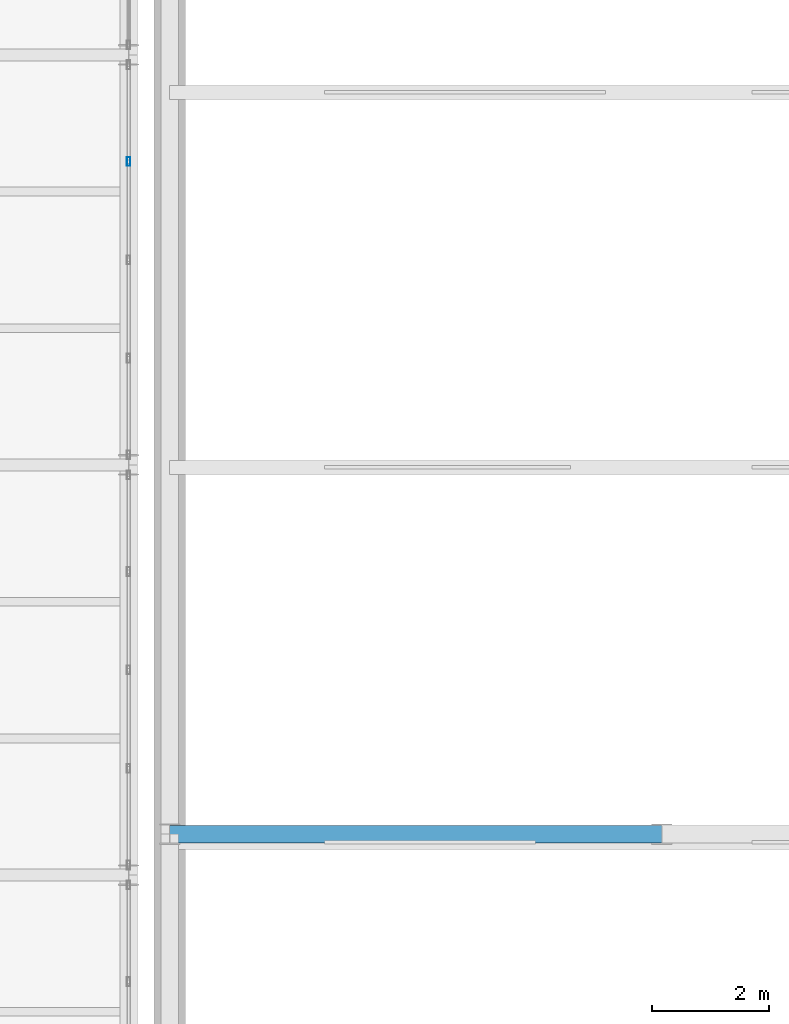
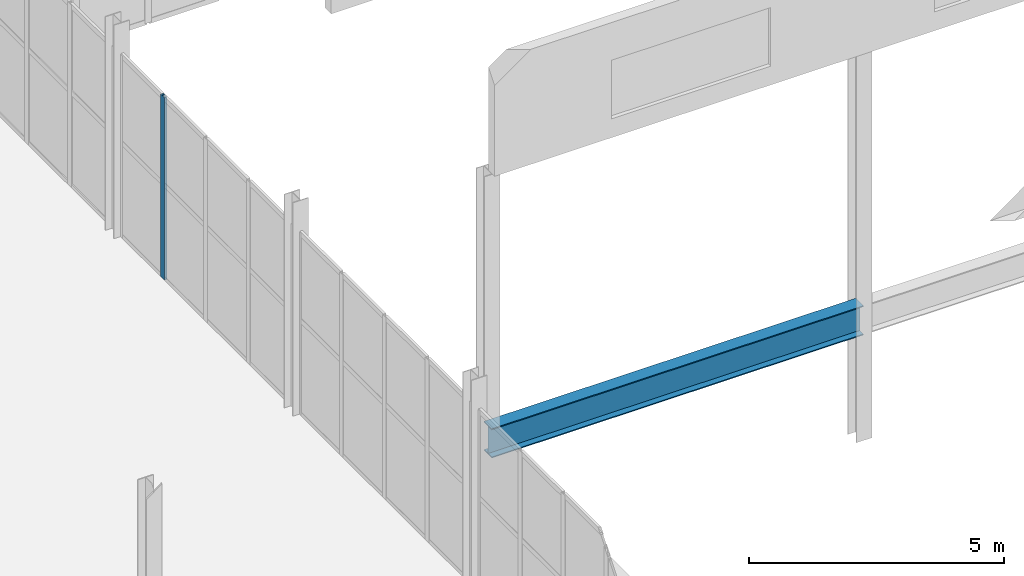
# One storey, part 55 of 218: 1 beam, 1 member, 1 element without a shape of its own.
"""IFC4 building model written with IfcOpenShell, lengths in metres."""

import ifcopenshell
import ifcopenshell.guid

model = None  # the IFC model being written
_history = None  # IfcOwnerHistory: only IFC2X3 demands one
_inside = {}  # id of a spatial element -> (the spatial element, [elements in it])
_under = {}  # id of a project, library or spatial element -> (it, [spatial elements below it])
_declared = {}  # id of a project -> (the project, [libraries it declares])
_typed = {}  # id of a type object -> (the type object, [elements of that type])
_made_of = {}  # id of a material, layer set ... -> (it, [elements and type objects made of it])


def new_model(schema):
    """Start an empty IFC model of exactly this schema.

    Asked for "IFC4X3", IfcOpenShell would pick the latest addendum, in which some entities
    have other attributes; the version numbers below select the first issue.
    IFC2X3 requires an IfcOwnerHistory on every rooted entity: one is made here for all.
    """
    global model, _history
    if schema == "IFC4X3":
        model = ifcopenshell.file(schema_version=(4, 3, 0, 0))
    else:
        model = ifcopenshell.file(schema=schema)
    _inside.clear()
    _under.clear()
    _declared.clear()
    _typed.clear()
    _made_of.clear()
    _history = None
    if model.schema == "IFC2X3":
        org = make("IfcOrganization", Name="unknown")
        user = make(
            "IfcPersonAndOrganization",
            ThePerson=make("IfcPerson", FamilyName="unknown"),
            TheOrganization=org,
        )
        app = make(
            "IfcApplication",
            ApplicationDeveloper=org,
            Version="unknown",
            ApplicationFullName="unknown",
            ApplicationIdentifier="unknown",
        )
        _history = make(
            "IfcOwnerHistory",
            OwningUser=user,
            OwningApplication=app,
            ChangeAction="ADDED",
            CreationDate=0,
        )
    return model


def make(cls, **values):
    """One entity of the class cls with the attributes given. An attribute that is None is left unset."""
    return model.create_entity(
        cls, **{name: value for name, value in values.items() if value is not None}
    )


def rooted(cls, **values):
    """An entity with a GlobalId (a new one), such as an element, a storey or a relation."""
    return make(cls, GlobalId=ifcopenshell.guid.new(), OwnerHistory=_history, **values)


def si_unit(unit_type, name, prefix=None):
    """IfcSIUnit, for example si_unit("LENGTHUNIT", "METRE", prefix="MILLI")."""
    return make("IfcSIUnit", UnitType=unit_type, Prefix=prefix, Name=name)


def assignment(units):
    """IfcUnitAssignment: the units of a project."""
    return None if units is None else make("IfcUnitAssignment", Units=units)


def point(xyz):
    """IfcCartesianPoint."""
    return None if xyz is None else make("IfcCartesianPoint", Coordinates=xyz)


def direction(xyz):
    """IfcDirection."""
    return None if xyz is None else make("IfcDirection", DirectionRatios=xyz)


def frame(location, z_axis=None, x_axis=None):
    """IfcAxis2Placement3D, a coordinate frame: its origin and axes. An axis left out is left unset."""
    return make(
        "IfcAxis2Placement3D",
        Location=point(location),
        Axis=direction(z_axis),
        RefDirection=direction(x_axis),
    )


def frame_2d(location, x_axis=None):
    """IfcAxis2Placement2D, a coordinate frame in the plane: its origin and x axis."""
    return make(
        "IfcAxis2Placement2D", Location=point(location), RefDirection=direction(x_axis)
    )


def origin():
    """The frame at (0, 0, 0) with its axes left unset."""
    return frame((0.0, 0.0, 0.0))


def origin_2d():
    """The frame at (0, 0) in the plane with its x axis left unset."""
    return frame_2d((0.0, 0.0))


def place(relative_to, where):
    """IfcLocalPlacement: puts the frame where relative to a parent placement (None: the world)."""
    return make(
        "IfcLocalPlacement", PlacementRelTo=relative_to, RelativePlacement=where
    )


def context(
    kind, dimensions, precision=None, world=None, true_north=None, identifier=None
):
    """IfcGeometricRepresentationContext, for example the 3D "Model" context."""
    return make(
        "IfcGeometricRepresentationContext",
        ContextIdentifier=identifier,
        ContextType=kind,
        CoordinateSpaceDimension=dimensions,
        Precision=precision,
        WorldCoordinateSystem=world,
        TrueNorth=true_north,
    )


def subcontext(parent, identifier, kind, view, scale=None):
    """IfcGeometricRepresentationSubContext, for example "Body" below "Model"."""
    return make(
        "IfcGeometricRepresentationSubContext",
        ContextIdentifier=identifier,
        ContextType=kind,
        ParentContext=parent,
        TargetScale=scale,
        TargetView=view,
    )


def project(units=None, contexts=None):
    """IfcProject with its units and contexts."""
    return rooted(
        "IfcProject",
        Name="project",
        RepresentationContexts=contexts,
        UnitsInContext=assignment(units),
    )


def spatial(cls, under=None, at=None, **own):
    """A site, building, storey or space (cls), placed at a placement, below another one or the project."""
    s = rooted(cls, ObjectPlacement=at, **own)
    if under is not None:
        _under.setdefault(under.id(), (under, []))[1].append(s)
    return s


def profile(cls, at=None, kind="AREA", **sizes):
    """A parametric profile (cls). Its sizes go by their IFC names, for example OverallWidth=200.0."""
    return make(cls, ProfileType=kind, Position=at, **sizes)


def hollow_rectangle(**sizes):
    """IfcRectangleHollowProfileDef."""
    return profile("IfcRectangleHollowProfileDef", **sizes)


def i_section(**sizes):
    """IfcIShapeProfileDef."""
    return profile("IfcIShapeProfileDef", **sizes)


def extrude(swept, where, along, depth):
    """IfcExtrudedAreaSolid: the profile swept, set in the frame where, extruded along a direction by depth."""
    return make(
        "IfcExtrudedAreaSolid",
        SweptArea=swept,
        Position=where,
        ExtrudedDirection=direction(along),
        Depth=depth,
    )


def shape(context_of_items, identifier, shape_type, items):
    """IfcShapeRepresentation: the items that make up one representation, for example the "Body"."""
    return make(
        "IfcShapeRepresentation",
        ContextOfItems=context_of_items,
        RepresentationIdentifier=identifier,
        RepresentationType=shape_type,
        Items=items,
    )


def material(Name=None, Category=None):
    """IfcMaterial."""
    return make("IfcMaterial", Name=Name, Category=Category)


def material_profile(
    of_material, cross_section, Name=None, Category=None, Priority=None
):
    """IfcMaterialProfile: a cross section and its material."""
    return make(
        "IfcMaterialProfile",
        Name=Name,
        Material=of_material,
        Profile=cross_section,
        Priority=Priority,
        Category=Category,
    )


def profile_set(profiles, Name=None, composite=None):
    """IfcMaterialProfileSet."""
    return make(
        "IfcMaterialProfileSet",
        Name=Name,
        MaterialProfiles=profiles,
        CompositeProfile=composite,
    )


def made_of(thing, what):
    """Note that an element or type object is made of a material, layer set ...; save() writes the relation."""
    if what is not None:
        _made_of.setdefault(what.id(), (what, []))[1].append(thing)
    return thing


def type_object(cls, material=None, **own):
    """A type object (cls), such as IfcWallType, which elements share."""
    return made_of(rooted(cls, **own), material)


def element(
    cls,
    number,
    at=None,
    inside=None,
    cuts=None,
    type_object=None,
    material=None,
    context=None,
    identifier="Body",
    shape_type=None,
    held_by="IfcProductDefinitionShape",
    body=None,
    shapes=None,
    **own,
):
    """One element of the class cls, such as IfcWall. Its Tag is "e" and its number.

    at: its placement. inside: the storey or other place that contains it. cuts: it is an
    opening in that element (IfcRelVoidsElement). A single representation is given by context,
    identifier, shape_type and body (its items); several are given by shapes. held_by: the class
    of the entity that holds the representations. save() writes the other relations.
    """
    e = rooted(cls, Tag="e%d" % number, ObjectPlacement=at, **own)
    if body is not None:
        shapes = [shape(context, identifier, shape_type, body)]
    if shapes is not None:
        e.Representation = make(held_by, Representations=shapes)
    if inside is not None:
        _inside.setdefault(inside.id(), (inside, []))[1].append(e)
    if cuts is not None:
        rooted(
            "IfcRelVoidsElement", RelatingBuildingElement=cuts, RelatedOpeningElement=e
        )
    if type_object is not None:
        _typed.setdefault(type_object.id(), (type_object, []))[1].append(e)
    return made_of(e, material)


def aggregate(whole, parts):
    """IfcRelAggregates: a whole, such as a stair, and the parts it consists of."""
    return rooted("IfcRelAggregates", RelatingObject=whole, RelatedObjects=parts)


def save(model, path):
    """Write the relations noted so far, then the file.

    IfcRelAggregates (storeys below a building ...), IfcRelContainedInSpatialStructure (elements
    in a storey), IfcRelDefinesByType, IfcRelAssociatesMaterial and IfcRelDeclares: one each for
    every whole, place, type object, material and project.
    """
    for whole, parts in _under.values():
        aggregate(whole, parts)
    for where, things in _inside.values():
        rooted(
            "IfcRelContainedInSpatialStructure",
            RelatedElements=things,
            RelatingStructure=where,
        )
    for kind, things in _typed.values():
        rooted("IfcRelDefinesByType", RelatedObjects=things, RelatingType=kind)
    for what, things in _made_of.values():
        rooted("IfcRelAssociatesMaterial", RelatedObjects=things, RelatingMaterial=what)
    for by, libraries in _declared.values():
        rooted("IfcRelDeclares", RelatingContext=by, RelatedDefinitions=libraries)
    model.write(path)


model = new_model("IFC4")

# Units and contexts
model_context = context("Model", 3, precision=1e-05, world=origin(), true_north=direction((0.0, 1.0)))
body_context = subcontext(model_context, "Body", "Model", "MODEL_VIEW")
ifc_project = project(units=[si_unit("LENGTHUNIT", "METRE"), si_unit("AREAUNIT", "SQUARE_METRE"), si_unit("VOLUMEUNIT", "CUBIC_METRE"), si_unit("PLANEANGLEUNIT", "RADIAN"), si_unit("MASSUNIT", "GRAM", prefix="KILO")], contexts=[model_context])

# Site, building, storey
site_placement = place(None, origin())
site = spatial("IfcSite", under=ifc_project, at=site_placement, CompositionType="ELEMENT")
building_placement = place(site_placement, origin())
building = spatial("IfcBuilding", under=site, at=building_placement, Name="Kazenagashi Tramway Depot", CompositionType="ELEMENT")
storey_placement = place(building_placement, frame((0.0, 0.0, 6.0)))
storey = spatial("IfcBuildingStorey", under=building, at=storey_placement, Name="L02", CompositionType="ELEMENT", Elevation=6.0)

# Beam
ifc_material_1 = material(Name="Steel SN490B", Category="steel")
ifc_material_profile_1 = material_profile(ifc_material_1, i_section(OverallWidth=0.3, OverallDepth=0.7, WebThickness=0.013, FlangeThickness=0.024, at=origin_2d()), Name="H-700x300x13x24")
ifc_profile_set_1 = profile_set([ifc_material_profile_1], Name="Steel SN490B")
beam_type = type_object("IfcBeamType", Name="G-02", PredefinedType="BEAM", material=ifc_profile_set_1)
beam_placement = place(storey_placement, frame((44.8, 35.7, 2.85), z_axis=(1.0, 0.0, 0.0), x_axis=(0.0, 1.0, 0.0)))
element("IfcBeam", 1, at=beam_placement, inside=storey, type_object=beam_type, Name="Beam G-02 BM-1161", PredefinedType="BEAM", context=body_context, shape_type="SweptSolid", body=[
    extrude(i_section(OverallWidth=0.3, OverallDepth=0.7, WebThickness=0.013, FlangeThickness=0.024, at=origin_2d()), origin(), (0.0, 0.0, 1.0), 8.4),
])

# Curtain wall, member
ifc_material_2 = material(Name="Anodised Aluminium and Low-E Glazing", Category="aluminium")
curtain_wall_type = type_object("IfcCurtainWallType", Name="CW-34", PredefinedType="USERDEFINED", material=ifc_material_2)
curtain_wall_placement = place(storey_placement, origin())
curtain_wall = element("IfcCurtainWall", 2, at=curtain_wall_placement, inside=storey, type_object=curtain_wall_type, Name="Industrial Glazed Screen CW-34 CW-0192", ObjectType="GLAZED SCREEN", PredefinedType="USERDEFINED")
ifc_material_3 = material(Name="Anodised Aluminium", Category="aluminium")
ifc_material_profile_2 = material_profile(ifc_material_3, hollow_rectangle(XDim=0.06, YDim=0.15, WallThickness=0.004, at=origin_2d()), Name="RHS-150x60x4")
ifc_profile_set_2 = profile_set([ifc_material_profile_2], Name="Anodised Aluminium")
member_type = type_object("IfcMemberType", Name="ML-01", PredefinedType="MULLION", material=ifc_profile_set_2)
member_placement = place(storey_placement, frame((44.1, 47.18, 0.0), z_axis=(0.0, 0.0, 1.0), x_axis=(-1.0, 0.0, 0.0)))
member = element("IfcMember", 3, at=member_placement, type_object=member_type, Name="CW-34 mullion 4", PredefinedType="MULLION", context=body_context, shape_type="SweptSolid", body=[
    extrude(hollow_rectangle(XDim=0.06, YDim=0.15, WallThickness=0.004, at=origin_2d()), origin(), (0.0, 0.0, 1.0), 4.362),
])
aggregate(curtain_wall, [member])

save(model, "model.ifc")
